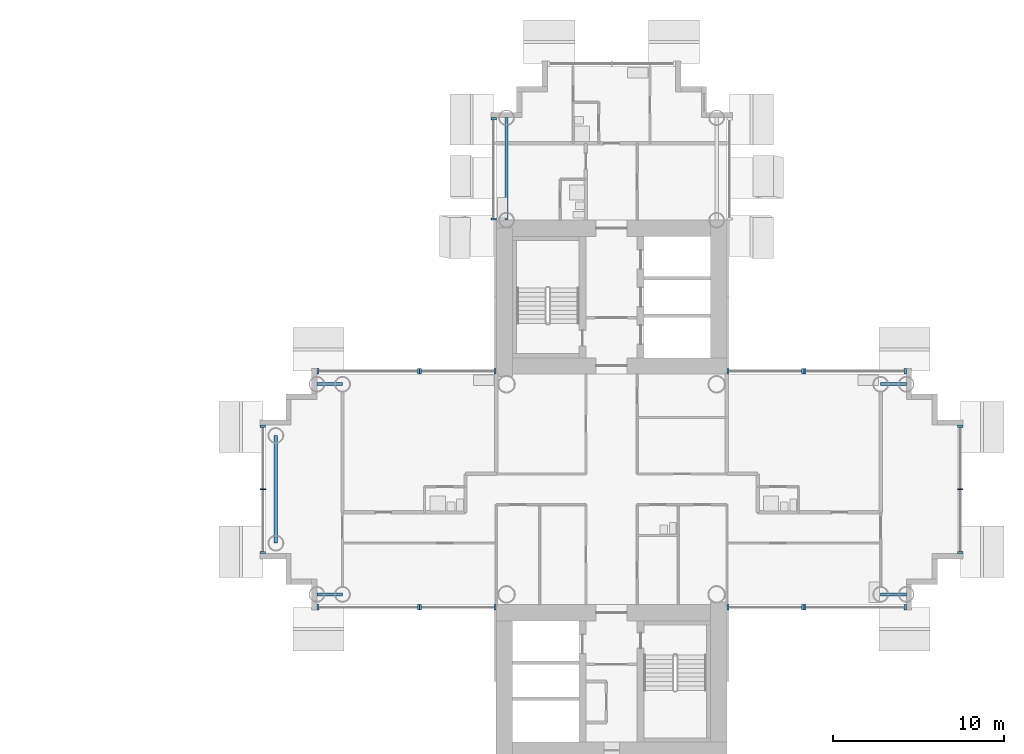
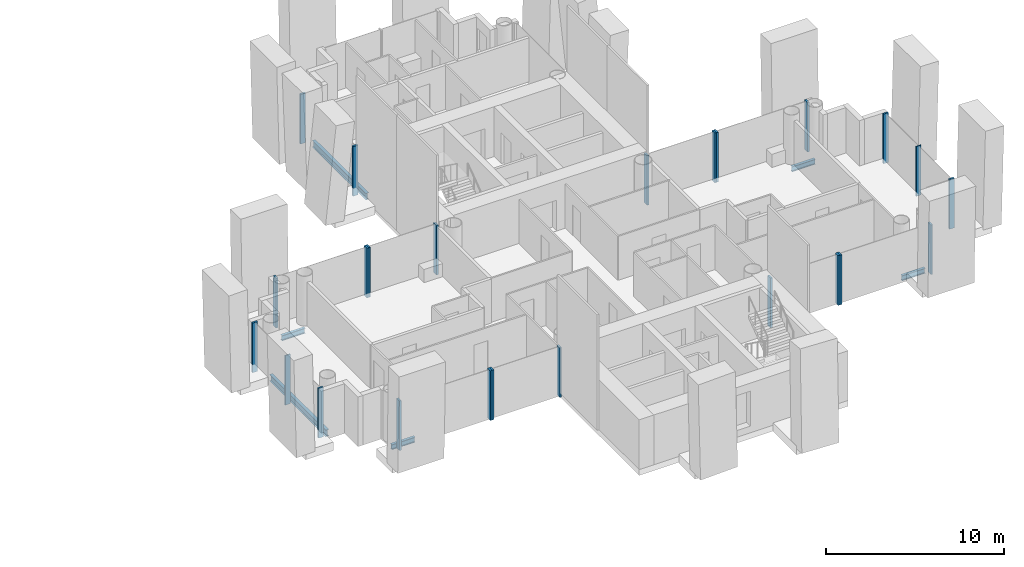
# One storey, part 5 of 20: 24 members, 6 beams, 11 elements without a shape of their own.
"""IFC4 building model written with IfcOpenShell, lengths in metres."""

from ifc_helpers import new_model, si_unit, direction, frame, origin, origin_2d, place, context, subcontext, project, spatial, rectangle, i_section, extrude, material, layer, layer_set, material_profile, profile_set, type_object, element, aggregate, save


model = new_model("IFC4")

# Units and contexts
model_context = context("Model", 3, precision=1e-05, world=origin(), true_north=direction((0.0, 1.0)))
body_context = subcontext(model_context, "Body", "Model", "MODEL_VIEW")
ifc_project = project(units=[si_unit("LENGTHUNIT", "METRE"), si_unit("AREAUNIT", "SQUARE_METRE"), si_unit("VOLUMEUNIT", "CUBIC_METRE"), si_unit("PLANEANGLEUNIT", "RADIAN"), si_unit("MASSUNIT", "GRAM", prefix="KILO")], contexts=[model_context])

# Site, building, storey
site_placement = place(None, origin())
site = spatial("IfcSite", under=ifc_project, at=site_placement, CompositionType="ELEMENT")
building_placement = place(site_placement, origin())
building = spatial("IfcBuilding", under=site, at=building_placement, Name="Ipe Terrace Towers", CompositionType="ELEMENT")
storey_placement = place(building_placement, frame((0.0, 0.0, 120.800048828125)))
storey = spatial("IfcBuildingStorey", under=building, at=storey_placement, Name="L33", CompositionType="ELEMENT", Elevation=120.800048828125)

# Beams
ifc_material_1 = material(Name="Steel S355", Category="steel")
ifc_material_profile_1 = material_profile(ifc_material_1, i_section(OverallWidth=0.175048828125, OverallDepth=0.35009765625, WebThickness=0.007080078125, FlangeThickness=0.010986328125, at=origin_2d()), Name="H-350x175x7x11")
ifc_profile_set_1 = profile_set([ifc_material_profile_1], Name="Steel S355")
beam_type_1 = type_object("IfcBeamType", Name="H04 EDGE BEAM H-350x175x7x11", PredefinedType="BEAM", material=ifc_profile_set_1)
for number, where, z_axis, x_axis, name in (
    (1, (20.25, 6.14990234375, -0.574951171875), (-1.0, 0.0, 0.0), (0.0, -1.0, 0.0), "Edge beam T2-EB-B03-B05"),
    (2, (20.25, -6.14990234375, -0.574951171875), (-1.0, 0.0, 0.0), (0.0, -1.0, 0.0), "Edge beam T2-EB-B04-B06"),
    (3, (51.75, -6.14990234375, -0.574951171875), (1.0, 0.0, 0.0), (0.0, 1.0, 0.0), "Edge beam T2-EB-D03-D05"),
    (4, (51.75, 6.14990234375, -0.574951171875), (1.0, 0.0, 0.0), (0.0, 1.0, 0.0), "Edge beam T2-EB-D04-D06"),
):
    element("IfcBeam", number, at=place(storey_placement, frame(where, z_axis=z_axis, x_axis=x_axis)), inside=storey, type_object=beam_type_1, Name=name, PredefinedType="BEAM", context=body_context, shape_type="SweptSolid", body=[
        extrude(i_section(OverallWidth=0.175048828125, OverallDepth=0.35009765625, WebThickness=0.007080078125, FlangeThickness=0.010986328125, at=origin_2d()), origin(), (0.0, 0.0, 1.0), 1.5),
    ])
ifc_material_2 = material(Name="Steel S355", Category="steel")
ifc_material_profile_2 = material_profile(ifc_material_2, i_section(OverallWidth=0.199951171875, OverallDepth=0.449951171875, WebThickness=0.009033203125, FlangeThickness=0.013916015625, at=origin_2d()), Name="H-450x200x9x14")
ifc_profile_set_2 = profile_set([ifc_material_profile_2], Name="Steel S355")
beam_type_2 = type_object("IfcBeamType", Name="H08 EDGE BEAM H-450x200x9x14", PredefinedType="BEAM", material=ifc_profile_set_2)
beam_1_placement = place(storey_placement, frame((29.85009765625, 15.75, -0.625), z_axis=(0.0, 1.0, 0.0), x_axis=(-1.0, 0.0, 0.0)))
element("IfcBeam", 5, at=beam_1_placement, inside=storey, type_object=beam_type_2, Name="Edge beam T2-EB-A02-A04", PredefinedType="BEAM", context=body_context, shape_type="SweptSolid", body=[
    extrude(i_section(OverallWidth=0.199951171875, OverallDepth=0.449951171875, WebThickness=0.009033203125, FlangeThickness=0.013916015625, at=origin_2d()), origin(), (0.0, 0.0, 1.0), 6.0),
])
beam_2_placement = place(storey_placement, frame((16.35009765625, 3.14990234375, -0.625), z_axis=(0.0, -1.0, 0.0), x_axis=(1.0, 0.0, 0.0)))
element("IfcBeam", 6, at=beam_2_placement, inside=storey, type_object=beam_type_2, Name="Edge beam T2-EB-B07-B08", PredefinedType="BEAM", context=body_context, shape_type="SweptSolid", body=[
    extrude(i_section(OverallWidth=0.199951171875, OverallDepth=0.449951171875, WebThickness=0.009033203125, FlangeThickness=0.013916015625, at=origin_2d()), origin(), (0.0, 0.0, 1.0), 6.2998046875),
])

# Curtain wall, members
ifc_material_3 = material(Name="Aluminium alloy 6063-T6", Category="aluminium")
ifc_layer = layer(ifc_material_3, 0.320068359375)
ifc_layer_set = layer_set([ifc_layer], Name="TOWER UNITISED CURTAIN WALL")
curtain_wall_type = type_object("IfcCurtainWallType", Name="TOWER UNITISED CURTAIN WALL", PredefinedType="NOTDEFINED", material=ifc_layer_set)
curtain_wall_1_placement = place(storey_placement, origin())
curtain_wall_1 = element("IfcCurtainWall", 7, at=curtain_wall_1_placement, inside=storey, type_object=curtain_wall_type, Name="T2-CW-L33-02a curtain wall", PredefinedType="NOTDEFINED")
ifc_material_4 = material(Name="Aluminium alloy 6063-T6", Category="aluminium")
ifc_material_profile_3 = material_profile(ifc_material_4, rectangle(XDim=0.320068359375, YDim=0.1201171875, at=origin_2d()), Name="TOWER UNITISED CORNER MULLION 320 x 120")
ifc_profile_set_3 = profile_set([ifc_material_profile_3], Name="Aluminium alloy 6063-T6")
member_type_1 = type_object("IfcMemberType", Name="TOWER UNITISED CORNER MULLION 320 x 120", PredefinedType="MULLION", material=ifc_profile_set_3)
member_1_placement = place(storey_placement, frame((42.81005859375, -6.909912109375, -0.300048828125), z_axis=(0.0, 0.0, 1.0), x_axis=(0.0, -1.0, 0.0)))
member_1 = element("IfcMember", 8, at=member_1_placement, type_object=member_type_1, Name="T2-CW-L33-02a mullion 1", PredefinedType="MULLION", context=body_context, shape_type="SweptSolid", body=[
    extrude(rectangle(XDim=0.320068359375, YDim=0.1201171875, at=origin_2d()), origin(), (0.0, 0.0, 1.0), 3.39990234375),
])
member_2_placement = place(storey_placement, frame((47.18994140625, -6.909912109375, -0.300048828125), z_axis=(0.0, 0.0, 1.0), x_axis=(0.0, -1.0, 0.0)))
member_2 = element("IfcMember", 9, at=member_2_placement, type_object=member_type_1, Name="T2-CW-L33-02a mullion 2", PredefinedType="MULLION", context=body_context, shape_type="SweptSolid", body=[
    extrude(rectangle(XDim=0.320068359375, YDim=0.1201171875, at=origin_2d()), origin(), (0.0, 0.0, 1.0), 3.39990234375),
])
aggregate(curtain_wall_1, [member_1, member_2])

curtain_wall_2_placement = place(storey_placement, origin())
curtain_wall_2 = element("IfcCurtainWall", 10, at=curtain_wall_2_placement, inside=storey, type_object=curtain_wall_type, Name="T2-CW-L33-03a curtain wall", PredefinedType="NOTDEFINED")
member_3_placement = place(storey_placement, frame((47.31005859375, -6.909912109375, -0.300048828125), z_axis=(0.0, 0.0, 1.0), x_axis=(0.0, -1.0, 0.0)))
member_3 = element("IfcMember", 11, at=member_3_placement, type_object=member_type_1, Name="T2-CW-L33-03a mullion 1", PredefinedType="MULLION", context=body_context, shape_type="SweptSolid", body=[
    extrude(rectangle(XDim=0.320068359375, YDim=0.1201171875, at=origin_2d()), origin(), (0.0, 0.0, 1.0), 3.39990234375),
])
member_4_placement = place(storey_placement, frame((53.18994140625, -6.909912109375, -0.300048828125), z_axis=(0.0, 0.0, 1.0), x_axis=(0.0, -1.0, 0.0)))
member_4 = element("IfcMember", 12, at=member_4_placement, type_object=member_type_1, Name="T2-CW-L33-03a mullion 2", PredefinedType="MULLION", context=body_context, shape_type="SweptSolid", body=[
    extrude(rectangle(XDim=0.320068359375, YDim=0.1201171875, at=origin_2d()), origin(), (0.0, 0.0, 1.0), 3.39990234375),
])
aggregate(curtain_wall_2, [member_3, member_4])

curtain_wall_3_placement = place(storey_placement, origin())
curtain_wall_3 = element("IfcCurtainWall", 13, at=curtain_wall_3_placement, inside=storey, type_object=curtain_wall_type, Name="T2-CW-L33-08a curtain wall", PredefinedType="NOTDEFINED")
member_5_placement = place(storey_placement, frame((56.409912109375, -3.68994140625, -0.300048828125), z_axis=(0.0, 0.0, 1.0), x_axis=(1.0, 0.0, 0.0)))
member_5 = element("IfcMember", 14, at=member_5_placement, type_object=member_type_1, Name="T2-CW-L33-08a mullion 1", PredefinedType="MULLION", context=body_context, shape_type="SweptSolid", body=[
    extrude(rectangle(XDim=0.320068359375, YDim=0.1201171875, at=origin_2d()), origin(), (0.0, 0.0, 1.0), 3.39990234375),
])
member_6_placement = place(storey_placement, frame((56.409912109375, 3.68994140625, -0.300048828125), z_axis=(0.0, 0.0, 1.0), x_axis=(1.0, 0.0, 0.0)))
member_6 = element("IfcMember", 15, at=member_6_placement, type_object=member_type_1, Name="T2-CW-L33-08a mullion 3", PredefinedType="MULLION", context=body_context, shape_type="SweptSolid", body=[
    extrude(rectangle(XDim=0.320068359375, YDim=0.1201171875, at=origin_2d()), origin(), (0.0, 0.0, 1.0), 3.39990234375),
])

curtain_wall_4_placement = place(storey_placement, origin())
curtain_wall_4 = element("IfcCurtainWall", 16, at=curtain_wall_4_placement, inside=storey, type_object=curtain_wall_type, Name="T2-CW-L33-13a curtain wall", PredefinedType="NOTDEFINED")
member_7_placement = place(storey_placement, frame((53.18994140625, 6.909912109375, -0.300048828125), z_axis=(0.0, 0.0, 1.0), x_axis=(0.0, 1.0, 0.0)))
member_7 = element("IfcMember", 17, at=member_7_placement, type_object=member_type_1, Name="T2-CW-L33-13a mullion 1", PredefinedType="MULLION", context=body_context, shape_type="SweptSolid", body=[
    extrude(rectangle(XDim=0.320068359375, YDim=0.1201171875, at=origin_2d()), origin(), (0.0, 0.0, 1.0), 3.39990234375),
])
member_8_placement = place(storey_placement, frame((47.31005859375, 6.909912109375, -0.300048828125), z_axis=(0.0, 0.0, 1.0), x_axis=(0.0, 1.0, 0.0)))
member_8 = element("IfcMember", 18, at=member_8_placement, type_object=member_type_1, Name="T2-CW-L33-13a mullion 2", PredefinedType="MULLION", context=body_context, shape_type="SweptSolid", body=[
    extrude(rectangle(XDim=0.320068359375, YDim=0.1201171875, at=origin_2d()), origin(), (0.0, 0.0, 1.0), 3.39990234375),
])
aggregate(curtain_wall_4, [member_7, member_8])

curtain_wall_5_placement = place(storey_placement, origin())
curtain_wall_5 = element("IfcCurtainWall", 19, at=curtain_wall_5_placement, inside=storey, type_object=curtain_wall_type, Name="T2-CW-L33-14a curtain wall", PredefinedType="NOTDEFINED")
member_9_placement = place(storey_placement, frame((47.18994140625, 6.909912109375, -0.300048828125), z_axis=(0.0, 0.0, 1.0), x_axis=(0.0, 1.0, 0.0)))
member_9 = element("IfcMember", 20, at=member_9_placement, type_object=member_type_1, Name="T2-CW-L33-14a mullion 1", PredefinedType="MULLION", context=body_context, shape_type="SweptSolid", body=[
    extrude(rectangle(XDim=0.320068359375, YDim=0.1201171875, at=origin_2d()), origin(), (0.0, 0.0, 1.0), 3.39990234375),
])
member_10_placement = place(storey_placement, frame((42.81005859375, 6.909912109375, -0.300048828125), z_axis=(0.0, 0.0, 1.0), x_axis=(0.0, 1.0, 0.0)))
member_10 = element("IfcMember", 21, at=member_10_placement, type_object=member_type_1, Name="T2-CW-L33-14a mullion 2", PredefinedType="MULLION", context=body_context, shape_type="SweptSolid", body=[
    extrude(rectangle(XDim=0.320068359375, YDim=0.1201171875, at=origin_2d()), origin(), (0.0, 0.0, 1.0), 3.39990234375),
])
aggregate(curtain_wall_5, [member_9, member_10])

curtain_wall_6_placement = place(storey_placement, origin())
curtain_wall_6 = element("IfcCurtainWall", 22, at=curtain_wall_6_placement, inside=storey, type_object=curtain_wall_type, Name="T2-CW-L33-26a curtain wall", PredefinedType="NOTDEFINED")
member_11_placement = place(storey_placement, frame((29.090087890625, 21.68994140625, -0.300048828125), z_axis=(0.0, 0.0, 1.0), x_axis=(-1.0, 0.0, 0.0)))
member_11 = element("IfcMember", 23, at=member_11_placement, type_object=member_type_1, Name="T2-CW-L33-26a mullion 1", PredefinedType="MULLION", context=body_context, shape_type="SweptSolid", body=[
    extrude(rectangle(XDim=0.320068359375, YDim=0.1201171875, at=origin_2d()), origin(), (0.0, 0.0, 1.0), 3.39990234375),
])
member_12_placement = place(storey_placement, frame((29.090087890625, 15.81103515625, -0.300048828125), z_axis=(0.0, 0.0, 1.0), x_axis=(-1.0, 0.0, 0.0)))
member_12 = element("IfcMember", 24, at=member_12_placement, type_object=member_type_1, Name="T2-CW-L33-26a mullion 2", PredefinedType="MULLION", context=body_context, shape_type="SweptSolid", body=[
    extrude(rectangle(XDim=0.320068359375, YDim=0.1201171875, at=origin_2d()), origin(), (0.0, 0.0, 1.0), 3.39990234375),
])
aggregate(curtain_wall_6, [member_11, member_12])

curtain_wall_7_placement = place(storey_placement, origin())
curtain_wall_7 = element("IfcCurtainWall", 25, at=curtain_wall_7_placement, inside=storey, type_object=curtain_wall_type, Name="T2-CW-L33-28a curtain wall", PredefinedType="NOTDEFINED")
member_13_placement = place(storey_placement, frame((29.18994140625, 6.909912109375, -0.300048828125), z_axis=(0.0, 0.0, 1.0), x_axis=(0.0, 1.0, 0.0)))
member_13 = element("IfcMember", 26, at=member_13_placement, type_object=member_type_1, Name="T2-CW-L33-28a mullion 1", PredefinedType="MULLION", context=body_context, shape_type="SweptSolid", body=[
    extrude(rectangle(XDim=0.320068359375, YDim=0.1201171875, at=origin_2d()), origin(), (0.0, 0.0, 1.0), 3.39990234375),
])
member_14_placement = place(storey_placement, frame((24.81005859375, 6.909912109375, -0.300048828125), z_axis=(0.0, 0.0, 1.0), x_axis=(0.0, 1.0, 0.0)))
member_14 = element("IfcMember", 27, at=member_14_placement, type_object=member_type_1, Name="T2-CW-L33-28a mullion 2", PredefinedType="MULLION", context=body_context, shape_type="SweptSolid", body=[
    extrude(rectangle(XDim=0.320068359375, YDim=0.1201171875, at=origin_2d()), origin(), (0.0, 0.0, 1.0), 3.39990234375),
])
aggregate(curtain_wall_7, [member_13, member_14])

curtain_wall_8_placement = place(storey_placement, origin())
curtain_wall_8 = element("IfcCurtainWall", 28, at=curtain_wall_8_placement, inside=storey, type_object=curtain_wall_type, Name="T2-CW-L33-29a curtain wall", PredefinedType="NOTDEFINED")
member_15_placement = place(storey_placement, frame((24.68994140625, 6.909912109375, -0.300048828125), z_axis=(0.0, 0.0, 1.0), x_axis=(0.0, 1.0, 0.0)))
member_15 = element("IfcMember", 29, at=member_15_placement, type_object=member_type_1, Name="T2-CW-L33-29a mullion 1", PredefinedType="MULLION", context=body_context, shape_type="SweptSolid", body=[
    extrude(rectangle(XDim=0.320068359375, YDim=0.1201171875, at=origin_2d()), origin(), (0.0, 0.0, 1.0), 3.39990234375),
])
member_16_placement = place(storey_placement, frame((18.81005859375, 6.909912109375, -0.300048828125), z_axis=(0.0, 0.0, 1.0), x_axis=(0.0, 1.0, 0.0)))
member_16 = element("IfcMember", 30, at=member_16_placement, type_object=member_type_1, Name="T2-CW-L33-29a mullion 2", PredefinedType="MULLION", context=body_context, shape_type="SweptSolid", body=[
    extrude(rectangle(XDim=0.320068359375, YDim=0.1201171875, at=origin_2d()), origin(), (0.0, 0.0, 1.0), 3.39990234375),
])
aggregate(curtain_wall_8, [member_15, member_16])

curtain_wall_9_placement = place(storey_placement, origin())
curtain_wall_9 = element("IfcCurtainWall", 31, at=curtain_wall_9_placement, inside=storey, type_object=curtain_wall_type, Name="T2-CW-L33-34a curtain wall", PredefinedType="NOTDEFINED")
member_17_placement = place(storey_placement, frame((15.590087890625, 3.68994140625, -0.300048828125), z_axis=(0.0, 0.0, 1.0), x_axis=(-1.0, 0.0, 0.0)))
member_17 = element("IfcMember", 32, at=member_17_placement, type_object=member_type_1, Name="T2-CW-L33-34a mullion 1", PredefinedType="MULLION", context=body_context, shape_type="SweptSolid", body=[
    extrude(rectangle(XDim=0.320068359375, YDim=0.1201171875, at=origin_2d()), origin(), (0.0, 0.0, 1.0), 3.39990234375),
])
member_18_placement = place(storey_placement, frame((15.590087890625, -3.68994140625, -0.300048828125), z_axis=(0.0, 0.0, 1.0), x_axis=(-1.0, 0.0, 0.0)))
member_18 = element("IfcMember", 33, at=member_18_placement, type_object=member_type_1, Name="T2-CW-L33-34a mullion 3", PredefinedType="MULLION", context=body_context, shape_type="SweptSolid", body=[
    extrude(rectangle(XDim=0.320068359375, YDim=0.1201171875, at=origin_2d()), origin(), (0.0, 0.0, 1.0), 3.39990234375),
])

curtain_wall_10_placement = place(storey_placement, origin())
curtain_wall_10 = element("IfcCurtainWall", 34, at=curtain_wall_10_placement, inside=storey, type_object=curtain_wall_type, Name="T2-CW-L33-39a curtain wall", PredefinedType="NOTDEFINED")
member_19_placement = place(storey_placement, frame((18.81005859375, -6.909912109375, -0.300048828125), z_axis=(0.0, 0.0, 1.0), x_axis=(0.0, -1.0, 0.0)))
member_19 = element("IfcMember", 35, at=member_19_placement, type_object=member_type_1, Name="T2-CW-L33-39a mullion 1", PredefinedType="MULLION", context=body_context, shape_type="SweptSolid", body=[
    extrude(rectangle(XDim=0.320068359375, YDim=0.1201171875, at=origin_2d()), origin(), (0.0, 0.0, 1.0), 3.39990234375),
])
member_20_placement = place(storey_placement, frame((24.68994140625, -6.909912109375, -0.300048828125), z_axis=(0.0, 0.0, 1.0), x_axis=(0.0, -1.0, 0.0)))
member_20 = element("IfcMember", 36, at=member_20_placement, type_object=member_type_1, Name="T2-CW-L33-39a mullion 2", PredefinedType="MULLION", context=body_context, shape_type="SweptSolid", body=[
    extrude(rectangle(XDim=0.320068359375, YDim=0.1201171875, at=origin_2d()), origin(), (0.0, 0.0, 1.0), 3.39990234375),
])
aggregate(curtain_wall_10, [member_19, member_20])

curtain_wall_11_placement = place(storey_placement, origin())
curtain_wall_11 = element("IfcCurtainWall", 37, at=curtain_wall_11_placement, inside=storey, type_object=curtain_wall_type, Name="T2-CW-L33-40a curtain wall", PredefinedType="NOTDEFINED")
member_21_placement = place(storey_placement, frame((24.81005859375, -6.909912109375, -0.300048828125), z_axis=(0.0, 0.0, 1.0), x_axis=(0.0, -1.0, 0.0)))
member_21 = element("IfcMember", 38, at=member_21_placement, type_object=member_type_1, Name="T2-CW-L33-40a mullion 1", PredefinedType="MULLION", context=body_context, shape_type="SweptSolid", body=[
    extrude(rectangle(XDim=0.320068359375, YDim=0.1201171875, at=origin_2d()), origin(), (0.0, 0.0, 1.0), 3.39990234375),
])
member_22_placement = place(storey_placement, frame((29.18994140625, -6.909912109375, -0.300048828125), z_axis=(0.0, 0.0, 1.0), x_axis=(0.0, -1.0, 0.0)))
member_22 = element("IfcMember", 39, at=member_22_placement, type_object=member_type_1, Name="T2-CW-L33-40a mullion 2", PredefinedType="MULLION", context=body_context, shape_type="SweptSolid", body=[
    extrude(rectangle(XDim=0.320068359375, YDim=0.1201171875, at=origin_2d()), origin(), (0.0, 0.0, 1.0), 3.39990234375),
])
aggregate(curtain_wall_11, [member_21, member_22])

# Member
ifc_material_5 = material(Name="Aluminium alloy 6063-T6", Category="aluminium")
ifc_material_profile_4 = material_profile(ifc_material_5, rectangle(XDim=0.320068359375, YDim=0.06494140625, at=origin_2d()), Name="TOWER UNITISED MULLION 320 x 65")
ifc_profile_set_4 = profile_set([ifc_material_profile_4], Name="Aluminium alloy 6063-T6")
member_type_2 = type_object("IfcMemberType", Name="TOWER UNITISED MULLION 320 x 65", PredefinedType="MULLION", material=ifc_profile_set_4)
member_23_placement = place(storey_placement, frame((56.409912109375, 0.0, -0.300048828125), z_axis=(0.0, 0.0, 1.0), x_axis=(1.0, 0.0, 0.0)))
member_23 = element("IfcMember", 40, at=member_23_placement, type_object=member_type_2, Name="T2-CW-L33-08a mullion 2", PredefinedType="MULLION", context=body_context, shape_type="SweptSolid", body=[
    extrude(rectangle(XDim=0.320068359375, YDim=0.06494140625, at=origin_2d()), origin(), (0.0, 0.0, 1.0), 3.39990234375),
])

aggregate(curtain_wall_3, [member_5, member_23, member_6])

member_24_placement = place(storey_placement, frame((15.590087890625, 0.0, -0.300048828125), z_axis=(0.0, 0.0, 1.0), x_axis=(-1.0, 0.0, 0.0)))
member_24 = element("IfcMember", 41, at=member_24_placement, type_object=member_type_2, Name="T2-CW-L33-34a mullion 2", PredefinedType="MULLION", context=body_context, shape_type="SweptSolid", body=[
    extrude(rectangle(XDim=0.320068359375, YDim=0.06494140625, at=origin_2d()), origin(), (0.0, 0.0, 1.0), 3.39990234375),
])

aggregate(curtain_wall_9, [member_17, member_24, member_18])

save(model, "model.ifc")
